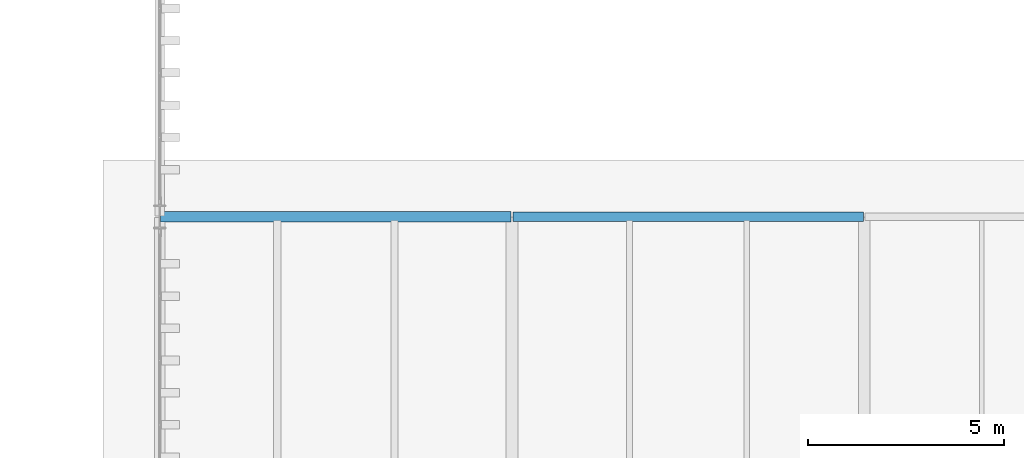
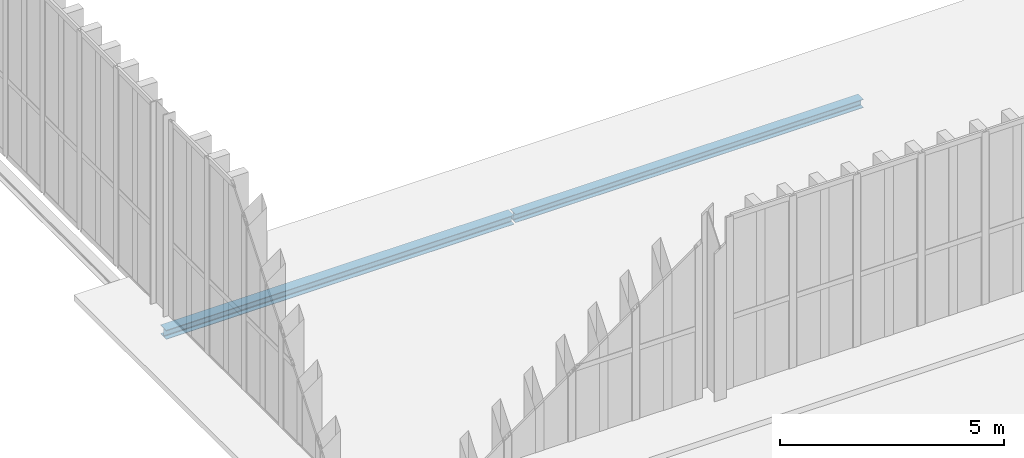
# One storey, part 152 of 237: 2 beams.
"""IFC4 building model written with IfcOpenShell, lengths in metres."""

from ifc_helpers import new_model, si_unit, direction, frame, origin, origin_2d, place, context, subcontext, project, spatial, i_section, extrude, material, material_profile, profile_set, type_object, element, save


model = new_model("IFC4")

# Units and contexts
model_context = context("Model", 3, precision=1e-05, world=origin(), true_north=direction((0.0, 1.0)))
body_context = subcontext(model_context, "Body", "Model", "MODEL_VIEW")
ifc_project = project(units=[si_unit("LENGTHUNIT", "METRE"), si_unit("AREAUNIT", "SQUARE_METRE"), si_unit("VOLUMEUNIT", "CUBIC_METRE"), si_unit("PLANEANGLEUNIT", "RADIAN"), si_unit("MASSUNIT", "GRAM", prefix="KILO")], contexts=[model_context])

# Site, building, storey
site_placement = place(None, origin())
site = spatial("IfcSite", under=ifc_project, at=site_placement, CompositionType="ELEMENT")
building_placement = place(site_placement, origin())
building = spatial("IfcBuilding", under=site, at=building_placement, Name="Barlavento Convention Centre", CompositionType="ELEMENT")
storey_placement = place(building_placement, frame((0.0, 0.0, 12.0)))
storey = spatial("IfcBuildingStorey", under=building, at=storey_placement, Name="L02", CompositionType="ELEMENT", Elevation=12.0)

# Beams
ifc_material = material(Name="Steel S355", Category="steel")
ifc_material_profile_1 = material_profile(ifc_material, i_section(OverallWidth=0.239990234375, OverallDepth=0.22998046875, WebThickness=0.007568359375, FlangeThickness=0.011962890625, FilletRadius=0.02099609375, at=origin_2d()), Name="HEA 240")
ifc_profile_set_1 = profile_set([ifc_material_profile_1], Name="Steel S355")
beam_type_1 = type_object("IfcBeamType", Name="STR-BM-SPN-HEA240", PredefinedType="SPANDREL", material=ifc_profile_set_1)
beam_1_placement = place(storey_placement, frame((135.02001953125, 108.0, -0.47998046875), z_axis=(1.0, 0.0, 0.0), x_axis=(0.0, 1.0, 0.0)))
element("IfcBeam", 1, at=beam_1_placement, inside=storey, type_object=beam_type_1, Name="L02 primary girder SP05", PredefinedType="SPANDREL", context=body_context, shape_type="SweptSolid", body=[
    extrude(i_section(OverallWidth=0.239990234375, OverallDepth=0.22998046875, WebThickness=0.007568359375, FlangeThickness=0.011962890625, FilletRadius=0.02099609375, at=origin_2d()), origin(), (0.0, 0.0, 1.0), 8.9599609375),
])
ifc_material_profile_2 = material_profile(ifc_material, i_section(OverallWidth=0.260009765625, OverallDepth=0.25, WebThickness=0.007568359375, FlangeThickness=0.012451171875, FilletRadius=0.02392578125, at=origin_2d()), Name="HEA 260")
ifc_profile_set_2 = profile_set([ifc_material_profile_2], Name="Steel S355")
beam_type_2 = type_object("IfcBeamType", Name="STR-BM-SPN-HEA260", PredefinedType="SPANDREL", material=ifc_profile_set_2)
beam_2_placement = place(storey_placement, frame((126.02001953125, 108.0, -0.489990234375), z_axis=(1.0, 0.0, 0.0), x_axis=(0.0, 1.0, 0.0)))
element("IfcBeam", 2, at=beam_2_placement, inside=storey, type_object=beam_type_2, Name="L02 primary girder SP04", PredefinedType="SPANDREL", context=body_context, shape_type="SweptSolid", body=[
    extrude(i_section(OverallWidth=0.260009765625, OverallDepth=0.25, WebThickness=0.007568359375, FlangeThickness=0.012451171875, FilletRadius=0.02392578125, at=origin_2d()), origin(), (0.0, 0.0, 1.0), 8.9599609375),
])

save(model, "model.ifc")
